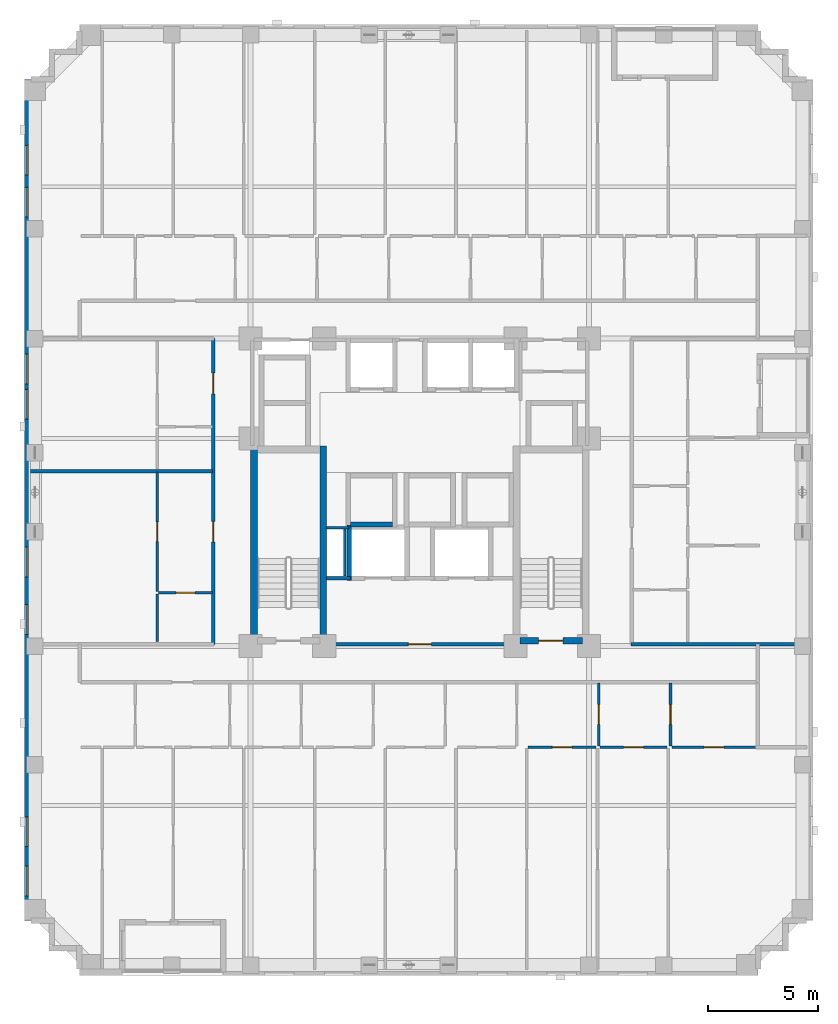
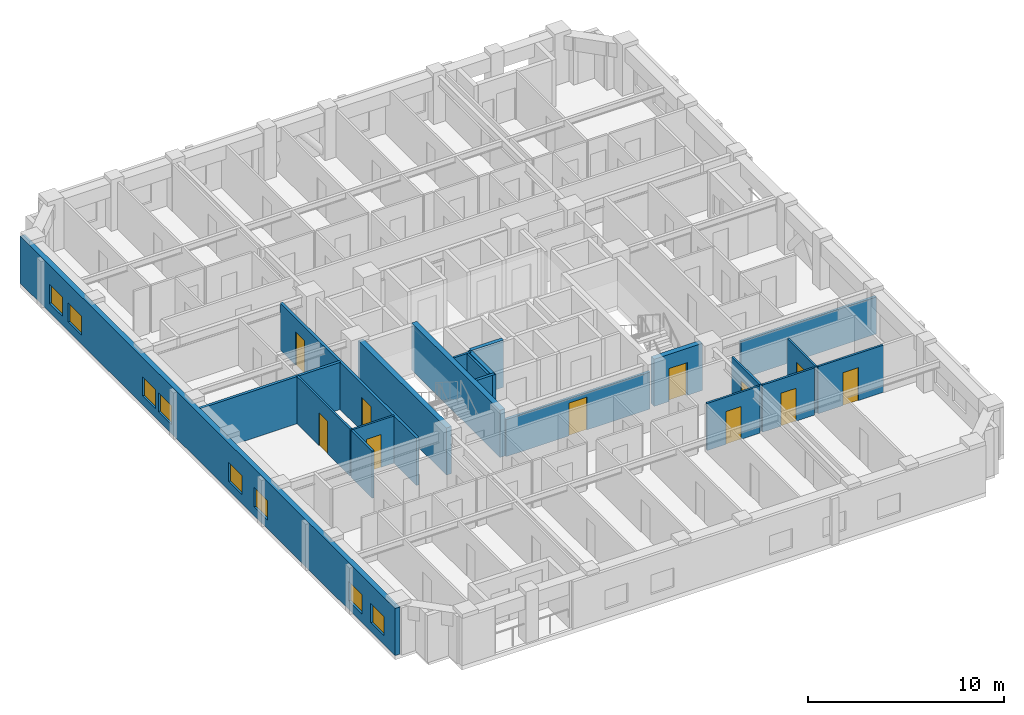
# One storey, part 4 of 13: 21 walls, 11 doors, 8 windows, 19 openings.
"""IFC4 building model written with IfcOpenShell, lengths in metres."""

from ifc_helpers import new_model, si_unit, derived_unit, direction, frame, frame_2d, origin, place, context, subcontext, project, spatial, rectangle, extrude, material, layer, layer_set, type_object, element, fill, save


model = new_model("IFC4")

# Units and contexts
model_context = context("Model", 3, precision=1e-05, world=origin(), true_north=direction((0.0, 1.0)))
body_context = subcontext(model_context, "Body", "Model", "MODEL_VIEW")
ifc_project = project(units=[si_unit("LENGTHUNIT", "METRE"), si_unit("AREAUNIT", "SQUARE_METRE"), si_unit("VOLUMEUNIT", "CUBIC_METRE"), si_unit("PLANEANGLEUNIT", "RADIAN"), si_unit("MASSUNIT", "GRAM", prefix="KILO"), derived_unit("THERMALTRANSMITTANCEUNIT", [(si_unit("MASSUNIT", "GRAM", prefix="KILO"), 1), (si_unit("TIMEUNIT", "SECOND"), -3), (si_unit("THERMODYNAMICTEMPERATUREUNIT", "KELVIN"), -1)])], contexts=[model_context])

# Site, building, storey
site_placement = place(None, origin())
site = spatial("IfcSite", under=ifc_project, at=site_placement, CompositionType="ELEMENT")
building_placement = place(site_placement, origin())
building = spatial("IfcBuilding", under=site, at=building_placement, Name="Korrvale Station Residences", CompositionType="ELEMENT")
storey_placement = place(building_placement, frame((0.0, 0.0, 100.699951171875)))
storey = spatial("IfcBuildingStorey", under=building, at=storey_placement, Name="L28", CompositionType="ELEMENT", Elevation=100.699951171875)

# Walls
ifc_material_1 = material(Name="Concrete C60/75", Category="concrete")
ifc_layer_1 = layer(ifc_material_1, 0.300048828125, Name="Concrete C60/75")
ifc_layer_set_1 = layer_set([ifc_layer_1], Name="Concrete C60/75")
wall_type_1 = type_object("IfcWallType", Name="WAL-CORE-300-C60", PredefinedType="SHEAR", material=ifc_layer_set_1)
for number, where, z_axis, x_axis, name in (
    (1, (17.949951171875, 15.10009765625, 0.0), (0.0, 0.0, 1.0), (0.0, 1.0, 0.0), "L28 ST-1 Core Shear Wall West"),
    (2, (21.10009765625, 15.10009765625, 0.0), (0.0, 0.0, 1.0), (0.0, 1.0, 0.0), "L28 ST-1 Core Shear Wall East"),
):
    element("IfcWall", number, at=place(storey_placement, frame(where, z_axis=z_axis, x_axis=x_axis)), inside=storey, type_object=wall_type_1, Name=name, PredefinedType="SHEAR", context=body_context, shape_type="SweptSolid", body=[
        extrude(rectangle(XDim=9.0, YDim=0.300048828125, at=frame_2d((4.5, 0.0))), origin(), (0.0, 0.0, 1.0), 2.93994140625),
    ])

# Wall, opening, door
wall_1_placement = place(storey_placement, frame((30.050048828125, 15.25, 0.0), z_axis=(0.0, 0.0, 1.0), x_axis=(1.0, 0.0, 0.0)))
wall_1 = element("IfcWall", 3, at=wall_1_placement, inside=storey, type_object=wall_type_1, Name="L28 ST-2 Core Shear Wall South", PredefinedType="SHEAR", context=body_context, shape_type="SweptSolid", body=[
    extrude(rectangle(XDim=2.849853515625, YDim=0.300048828125, at=frame_2d((1.4248046875, 0.0))), origin(), (0.0, 0.0, 1.0), 2.93994140625),
])
opening_1_placement = place(wall_1_placement, frame((0.860107421875, 0.0, 0.0)))
opening_1 = element("IfcOpeningElement", 4, at=opening_1_placement, cuts=wall_1, Name="Opening SD-1100", PredefinedType="OPENING", context=body_context, shape_type="SweptSolid", body=[
    extrude(rectangle(XDim=1.10009765625, YDim=2.050048828125, at=frame_2d((0.550048828125, 1.02490234375))), frame((0.0, 0.16015625, 0.0), z_axis=(0.0, -1.0, 0.0), x_axis=(1.0, 0.0, 0.0)), (0.0, 0.0, 1.0), 0.320068359375),
])
ifc_material_2 = material(Name="Hollow-metal fire-rated stair door with closer", Category="steel")
door_type_1 = type_object("IfcDoorType", Name="DR-STAIR-1100", OperationType="NOTDEFINED", PredefinedType="DOOR", material=ifc_material_2)
door_1_placement = place(opening_1_placement, origin())
door_1 = element("IfcDoor", 5, at=door_1_placement, inside=storey, type_object=door_type_1, Name="L28 ST-2 Exit Stair Door", OperationType="SINGLE_SWING_RIGHT", OverallHeight=2.050048828125, OverallWidth=1.10009765625, PredefinedType="DOOR", context=body_context, shape_type="SweptSolid", body=[
    extrude(rectangle(XDim=1.10009765625, YDim=2.050048828125, at=frame_2d((0.550048828125, 1.02490234375))), frame((0.0, 0.02490234375, 0.0), z_axis=(0.0, -1.0, 0.0), x_axis=(1.0, 0.0, 0.0)), (0.0, 0.0, 1.0), 0.050048828125),
])
fill(opening_1, door_1)

# Wall, openings, windows
ifc_material_3 = material(Name="Precast concrete C45/55", Category="concrete")
ifc_layer_2 = layer(ifc_material_3, 0.300048828125, Name="Precast concrete C45/55")
ifc_layer_set_2 = layer_set([ifc_layer_2], Name="Precast concrete C45/55")
wall_type_2 = type_object("IfcWallType", Name="WAL-EXT-PC300", PredefinedType="SOLIDWALL", material=ifc_layer_set_2)
wall_2_placement = place(storey_placement, frame((7.64990234375, 2.5, 0.0), z_axis=(0.0, 0.0, 1.0), x_axis=(0.0, 1.0, 0.0)))
wall_2 = element("IfcWall", 6, at=wall_2_placement, inside=storey, type_object=wall_type_2, Name="L28 West Exterior Precast Wall 1", PredefinedType="SOLIDWALL", context=body_context, shape_type="SweptSolid", body=[
    extrude(rectangle(XDim=38.300048828125, YDim=0.300048828125, at=frame_2d((19.14990234375, 0.0))), origin(), (0.0, 0.0, 1.0), 2.93994140625),
])
opening_2_placement = place(wall_2_placement, frame((3.3798828125, 0.0, 0.550048828125)))
opening_2 = element("IfcOpeningElement", 7, at=opening_2_placement, cuts=wall_2, Name="Opening W-10", PredefinedType="OPENING", context=body_context, shape_type="SweptSolid", body=[
    extrude(rectangle(XDim=1.35009765625, YDim=1.199951171875, at=frame_2d((0.675048828125, 0.60009765625))), frame((0.0, 0.16015625, 0.0), z_axis=(0.0, -1.0, 0.0), x_axis=(1.0, 0.0, 0.0)), (0.0, 0.0, 1.0), 0.320068359375),
])
opening_3_placement = place(wall_2_placement, frame((1.135009765625, 0.0, 0.550048828125)))
opening_3 = element("IfcOpeningElement", 8, at=opening_3_placement, cuts=wall_2, Name="Opening W-10", PredefinedType="OPENING", context=body_context, shape_type="SweptSolid", body=[
    extrude(rectangle(XDim=1.35009765625, YDim=1.199951171875, at=frame_2d((0.675048828125, 0.60009765625))), frame((0.0, 0.16015625, 0.0), z_axis=(0.0, -1.0, 0.0), x_axis=(1.0, 0.0, 0.0)), (0.0, 0.0, 1.0), 0.320068359375),
])
opening_4_placement = place(wall_2_placement, frame((33.946044921875, 0.0, 0.550048828125)))
opening_4 = element("IfcOpeningElement", 9, at=opening_4_placement, cuts=wall_2, Name="Opening W-10", PredefinedType="OPENING", context=body_context, shape_type="SweptSolid", body=[
    extrude(rectangle(XDim=1.35009765625, YDim=1.199951171875, at=frame_2d((0.675048828125, 0.60009765625))), frame((0.0, 0.16015625, 0.0), z_axis=(0.0, -1.0, 0.0), x_axis=(1.0, 0.0, 0.0)), (0.0, 0.0, 1.0), 0.320068359375),
])
opening_5_placement = place(wall_2_placement, frame((32.034912109375, 0.0, 0.550048828125)))
opening_5 = element("IfcOpeningElement", 10, at=opening_5_placement, cuts=wall_2, Name="Opening W-10", PredefinedType="OPENING", context=body_context, shape_type="SweptSolid", body=[
    extrude(rectangle(XDim=1.35009765625, YDim=1.199951171875, at=frame_2d((0.675048828125, 0.60009765625))), frame((0.0, 0.16015625, 0.0), z_axis=(0.0, -1.0, 0.0), x_axis=(1.0, 0.0, 0.0)), (0.0, 0.0, 1.0), 0.320068359375),
])
opening_6_placement = place(wall_2_placement, frame((15.64990234375, 0.0, 0.550048828125)))
opening_6 = element("IfcOpeningElement", 11, at=opening_6_placement, cuts=wall_2, Name="Opening W-10", PredefinedType="OPENING", context=body_context, shape_type="SweptSolid", body=[
    extrude(rectangle(XDim=1.35009765625, YDim=1.199951171875, at=frame_2d((0.675048828125, 0.60009765625))), frame((0.0, 0.16015625, 0.0), z_axis=(0.0, -1.0, 0.0), x_axis=(1.0, 0.0, 0.0)), (0.0, 0.0, 1.0), 0.320068359375),
])
opening_7_placement = place(wall_2_placement, frame((13.034912109375, 0.0, 0.550048828125)))
opening_7 = element("IfcOpeningElement", 12, at=opening_7_placement, cuts=wall_2, Name="Opening W-10", PredefinedType="OPENING", context=body_context, shape_type="SweptSolid", body=[
    extrude(rectangle(XDim=1.35009765625, YDim=1.199951171875, at=frame_2d((0.675048828125, 0.60009765625))), frame((0.0, 0.16015625, 0.0), z_axis=(0.0, -1.0, 0.0), x_axis=(1.0, 0.0, 0.0)), (0.0, 0.0, 1.0), 0.320068359375),
])
opening_8_placement = place(wall_2_placement, frame((22.8310546875, 0.0, 0.550048828125)))
opening_8 = element("IfcOpeningElement", 13, at=opening_8_placement, cuts=wall_2, Name="Opening W-10", PredefinedType="OPENING", context=body_context, shape_type="SweptSolid", body=[
    extrude(rectangle(XDim=1.35009765625, YDim=1.199951171875, at=frame_2d((0.675048828125, 0.60009765625))), frame((0.0, 0.16015625, 0.0), z_axis=(0.0, -1.0, 0.0), x_axis=(1.0, 0.0, 0.0)), (0.0, 0.0, 1.0), 0.320068359375),
])
opening_9_placement = place(wall_2_placement, frame((24.44091796875, 0.0, 0.550048828125)))
opening_9 = element("IfcOpeningElement", 14, at=opening_9_placement, cuts=wall_2, Name="Opening W-10", PredefinedType="OPENING", context=body_context, shape_type="SweptSolid", body=[
    extrude(rectangle(XDim=1.35009765625, YDim=1.199951171875, at=frame_2d((0.675048828125, 0.60009765625))), frame((0.0, 0.16015625, 0.0), z_axis=(0.0, -1.0, 0.0), x_axis=(1.0, 0.0, 0.0)), (0.0, 0.0, 1.0), 0.320068359375),
])
ifc_material_4 = material(Name="Thermally broken aluminium frame with triple low-e glazing", Category="aluminium")
window_type = type_object("IfcWindowType", Name="WIN-W10", PartitioningType="SINGLE_PANEL", PredefinedType="WINDOW", material=ifc_material_4)
window_1_placement = place(opening_2_placement, origin())
window_1 = element("IfcWindow", 15, at=window_1_placement, inside=storey, type_object=window_type, Name="L28 Punched Window 01", OverallHeight=1.199951171875, OverallWidth=1.35009765625, PartitioningType="SINGLE_PANEL", PredefinedType="WINDOW", context=body_context, shape_type="SweptSolid", body=[
    extrude(rectangle(XDim=1.35009765625, YDim=1.199951171875, at=frame_2d((0.675048828125, 0.60009765625))), frame((0.0, 0.030029296875, 0.0), z_axis=(0.0, -1.0, 0.0), x_axis=(1.0, 0.0, 0.0)), (0.0, 0.0, 1.0), 0.06005859375),
])
fill(opening_2, window_1)
window_2_placement = place(opening_3_placement, origin())
window_2 = element("IfcWindow", 16, at=window_2_placement, inside=storey, type_object=window_type, Name="L28 Punched Window 02", OverallHeight=1.199951171875, OverallWidth=1.35009765625, PartitioningType="SINGLE_PANEL", PredefinedType="WINDOW", context=body_context, shape_type="SweptSolid", body=[
    extrude(rectangle(XDim=1.35009765625, YDim=1.199951171875, at=frame_2d((0.675048828125, 0.60009765625))), frame((0.0, 0.030029296875, 0.0), z_axis=(0.0, -1.0, 0.0), x_axis=(1.0, 0.0, 0.0)), (0.0, 0.0, 1.0), 0.06005859375),
])
fill(opening_3, window_2)
window_3_placement = place(opening_4_placement, origin())
window_3 = element("IfcWindow", 17, at=window_3_placement, inside=storey, type_object=window_type, Name="L28 Punched Window 12", OverallHeight=1.199951171875, OverallWidth=1.35009765625, PartitioningType="SINGLE_PANEL", PredefinedType="WINDOW", context=body_context, shape_type="SweptSolid", body=[
    extrude(rectangle(XDim=1.35009765625, YDim=1.199951171875, at=frame_2d((0.675048828125, 0.60009765625))), frame((0.0, 0.030029296875, 0.0), z_axis=(0.0, -1.0, 0.0), x_axis=(1.0, 0.0, 0.0)), (0.0, 0.0, 1.0), 0.06005859375),
])
fill(opening_4, window_3)
window_4_placement = place(opening_5_placement, origin())
window_4 = element("IfcWindow", 18, at=window_4_placement, inside=storey, type_object=window_type, Name="L28 Punched Window 13", OverallHeight=1.199951171875, OverallWidth=1.35009765625, PartitioningType="SINGLE_PANEL", PredefinedType="WINDOW", context=body_context, shape_type="SweptSolid", body=[
    extrude(rectangle(XDim=1.35009765625, YDim=1.199951171875, at=frame_2d((0.675048828125, 0.60009765625))), frame((0.0, 0.030029296875, 0.0), z_axis=(0.0, -1.0, 0.0), x_axis=(1.0, 0.0, 0.0)), (0.0, 0.0, 1.0), 0.06005859375),
])
fill(opening_5, window_4)
window_5_placement = place(opening_6_placement, origin())
window_5 = element("IfcWindow", 19, at=window_5_placement, inside=storey, type_object=window_type, Name="L28 Punched Window 23", OverallHeight=1.199951171875, OverallWidth=1.35009765625, PartitioningType="SINGLE_PANEL", PredefinedType="WINDOW", context=body_context, shape_type="SweptSolid", body=[
    extrude(rectangle(XDim=1.35009765625, YDim=1.199951171875, at=frame_2d((0.675048828125, 0.60009765625))), frame((0.0, 0.030029296875, 0.0), z_axis=(0.0, -1.0, 0.0), x_axis=(1.0, 0.0, 0.0)), (0.0, 0.0, 1.0), 0.06005859375),
])
fill(opening_6, window_5)
window_6_placement = place(opening_7_placement, origin())
window_6 = element("IfcWindow", 20, at=window_6_placement, inside=storey, type_object=window_type, Name="L28 Punched Window 24", OverallHeight=1.199951171875, OverallWidth=1.35009765625, PartitioningType="SINGLE_PANEL", PredefinedType="WINDOW", context=body_context, shape_type="SweptSolid", body=[
    extrude(rectangle(XDim=1.35009765625, YDim=1.199951171875, at=frame_2d((0.675048828125, 0.60009765625))), frame((0.0, 0.030029296875, 0.0), z_axis=(0.0, -1.0, 0.0), x_axis=(1.0, 0.0, 0.0)), (0.0, 0.0, 1.0), 0.06005859375),
])
fill(opening_7, window_6)
window_7_placement = place(opening_8_placement, origin())
window_7 = element("IfcWindow", 21, at=window_7_placement, inside=storey, type_object=window_type, Name="L28 Punched Window 25", OverallHeight=1.199951171875, OverallWidth=1.35009765625, PartitioningType="SINGLE_PANEL", PredefinedType="WINDOW", context=body_context, shape_type="SweptSolid", body=[
    extrude(rectangle(XDim=1.35009765625, YDim=1.199951171875, at=frame_2d((0.675048828125, 0.60009765625))), frame((0.0, 0.030029296875, 0.0), z_axis=(0.0, -1.0, 0.0), x_axis=(1.0, 0.0, 0.0)), (0.0, 0.0, 1.0), 0.06005859375),
])
fill(opening_8, window_7)
window_8_placement = place(opening_9_placement, origin())
window_8 = element("IfcWindow", 22, at=window_8_placement, inside=storey, type_object=window_type, Name="L28 Punched Window 26", OverallHeight=1.199951171875, OverallWidth=1.35009765625, PartitioningType="SINGLE_PANEL", PredefinedType="WINDOW", context=body_context, shape_type="SweptSolid", body=[
    extrude(rectangle(XDim=1.35009765625, YDim=1.199951171875, at=frame_2d((0.675048828125, 0.60009765625))), frame((0.0, 0.030029296875, 0.0), z_axis=(0.0, -1.0, 0.0), x_axis=(1.0, 0.0, 0.0)), (0.0, 0.0, 1.0), 0.06005859375),
])
fill(opening_9, window_8)

# Walls
ifc_material_5 = material(Name="Acoustic steel-stud gypsum board partition", Category="steel")
ifc_layer_3 = layer(ifc_material_5, 0.1201171875, Name="Acoustic steel-stud gypsum board partition")
ifc_layer_set_3 = layer_set([ifc_layer_3], Name="Acoustic steel-stud gypsum board partition")
wall_type_3 = type_object("IfcWallType", Name="WAL-PART-125", PredefinedType="PARTITIONING", material=ifc_layer_set_3)
wall_3_placement = place(storey_placement, frame((22.080078125, 18.199951171875, 0.0), z_axis=(0.0, 0.0, 1.0), x_axis=(0.0, 1.0, 0.0)))
element("IfcWall", 23, at=wall_3_placement, inside=storey, type_object=wall_type_3, Name="L28 Core Partition CW-RSWT", PredefinedType="PARTITIONING", context=body_context, shape_type="SweptSolid", body=[
    extrude(rectangle(XDim=2.1201171875, YDim=0.1201171875, at=frame_2d((1.06005859375, 0.0))), origin(), (0.0, 0.0, 1.0), 2.93994140625),
])
wall_4_placement = place(storey_placement, frame((22.280029296875, 20.3798828125, 0.0), z_axis=(0.0, 0.0, 1.0), x_axis=(-1.0, 0.0, 0.0)))
element("IfcWall", 24, at=wall_4_placement, inside=storey, type_object=wall_type_3, Name="L28 Core Partition CW-RSWT-N", PredefinedType="PARTITIONING", context=body_context, shape_type="SweptSolid", body=[
    extrude(rectangle(XDim=1.02001953125, YDim=0.1201171875, at=frame_2d((0.510009765625, 0.0))), origin(), (0.0, 0.0, 1.0), 2.93994140625),
])

# Wall, opening, door
wall_5_placement = place(storey_placement, frame((33.639892578125, 10.4599609375, 0.0), z_axis=(0.0, 0.0, 1.0), x_axis=(0.0, 1.0, 0.0)))
wall_5 = element("IfcWall", 25, at=wall_5_placement, inside=storey, type_object=wall_type_3, Name="L28 Suite Partition U01-V67", PredefinedType="PARTITIONING", context=body_context, shape_type="SweptSolid", body=[
    extrude(rectangle(XDim=2.85009765625, YDim=0.1201171875, at=frame_2d((1.425048828125, 0.0))), origin(), (0.0, 0.0, 1.0), 2.93994140625),
])
opening_10_placement = place(wall_5_placement, frame((0.97509765625, 0.0, 0.0)))
opening_10 = element("IfcOpeningElement", 26, at=opening_10_placement, cuts=wall_5, Name="Opening DI-900", PredefinedType="OPENING", context=body_context, shape_type="SweptSolid", body=[
    extrude(rectangle(XDim=0.89990234375, YDim=2.050048828125, at=frame_2d((0.449951171875, 1.02490234375))), frame((0.0, 0.070068359375, 0.0), z_axis=(0.0, -1.0, 0.0), x_axis=(1.0, 0.0, 0.0)), (0.0, 0.0, 1.0), 0.14013671875),
])
ifc_material_6 = material(Name="Painted solid-core timber interior room door", Category="wood")
door_type_2 = type_object("IfcDoorType", Name="DR-INT-900", OperationType="NOTDEFINED", PredefinedType="DOOR", material=ifc_material_6)
door_2_placement = place(opening_10_placement, origin())
door_2 = element("IfcDoor", 27, at=door_2_placement, inside=storey, type_object=door_type_2, Name="L28 Studio Apartment L28-U01 Utility and Laundry Room Door", OperationType="SINGLE_SWING_RIGHT", OverallHeight=2.050048828125, OverallWidth=0.89990234375, PredefinedType="DOOR", context=body_context, shape_type="SweptSolid", body=[
    extrude(rectangle(XDim=0.89990234375, YDim=2.050048828125, at=frame_2d((0.449951171875, 1.02490234375))), frame((0.0, 0.02490234375, 0.0), z_axis=(0.0, -1.0, 0.0), x_axis=(1.0, 0.0, 0.0)), (0.0, 0.0, 1.0), 0.050048828125),
])
fill(opening_10, door_2)

wall_6_placement = place(storey_placement, frame((30.429931640625, 10.39990234375, 0.0), z_axis=(0.0, 0.0, 1.0), x_axis=(1.0, 0.0, 0.0)))
wall_6 = element("IfcWall", 28, at=wall_6_placement, inside=storey, type_object=wall_type_3, Name="L28 Suite Partition U01-H616", PredefinedType="PARTITIONING", context=body_context, shape_type="SweptSolid", body=[
    extrude(rectangle(XDim=3.10009765625, YDim=0.1201171875, at=frame_2d((1.550048828125, 0.0))), origin(), (0.0, 0.0, 1.0), 2.93994140625),
])
opening_11_placement = place(wall_6_placement, frame((1.10009765625, 0.0, 0.0)))
opening_11 = element("IfcOpeningElement", 29, at=opening_11_placement, cuts=wall_6, Name="Opening DI-900", PredefinedType="OPENING", context=body_context, shape_type="SweptSolid", body=[
    extrude(rectangle(XDim=0.89990234375, YDim=2.050048828125, at=frame_2d((0.449951171875, 1.02490234375))), frame((0.0, 0.070068359375, 0.0), z_axis=(0.0, -1.0, 0.0), x_axis=(1.0, 0.0, 0.0)), (0.0, 0.0, 1.0), 0.14013671875),
])
door_3_placement = place(opening_11_placement, origin())
door_3 = element("IfcDoor", 30, at=door_3_placement, inside=storey, type_object=door_type_2, Name="L28 Studio Apartment L28-U01 Utility and Laundry Room Door", OperationType="SINGLE_SWING_LEFT", OverallHeight=2.050048828125, OverallWidth=0.89990234375, PredefinedType="DOOR", context=body_context, shape_type="SweptSolid", body=[
    extrude(rectangle(XDim=0.89990234375, YDim=2.050048828125, at=frame_2d((0.449951171875, 1.02490234375))), frame((0.0, 0.02490234375, 0.0), z_axis=(0.0, -1.0, 0.0), x_axis=(1.0, 0.0, 0.0)), (0.0, 0.0, 1.0), 0.050048828125),
])
fill(opening_11, door_3)

wall_7_placement = place(storey_placement, frame((36.909912109375, 10.4599609375, 0.0), z_axis=(0.0, 0.0, 1.0), x_axis=(0.0, 1.0, 0.0)))
wall_7 = element("IfcWall", 31, at=wall_7_placement, inside=storey, type_object=wall_type_3, Name="L28 Suite Partition U01-V78", PredefinedType="PARTITIONING", context=body_context, shape_type="SweptSolid", body=[
    extrude(rectangle(XDim=2.85009765625, YDim=0.1201171875, at=frame_2d((1.425048828125, 0.0))), origin(), (0.0, 0.0, 1.0), 2.93994140625),
])
opening_12_placement = place(wall_7_placement, frame((0.97509765625, 0.0, 0.0)))
opening_12 = element("IfcOpeningElement", 32, at=opening_12_placement, cuts=wall_7, Name="Opening DI-900", PredefinedType="OPENING", context=body_context, shape_type="SweptSolid", body=[
    extrude(rectangle(XDim=0.89990234375, YDim=2.050048828125, at=frame_2d((0.449951171875, 1.02490234375))), frame((0.0, 0.070068359375, 0.0), z_axis=(0.0, -1.0, 0.0), x_axis=(1.0, 0.0, 0.0)), (0.0, 0.0, 1.0), 0.14013671875),
])
door_4_placement = place(opening_12_placement, origin())
door_4 = element("IfcDoor", 33, at=door_4_placement, inside=storey, type_object=door_type_2, Name="L28 Studio Apartment L28-U01 Storage Closet 2 Door", OperationType="SINGLE_SWING_RIGHT", OverallHeight=2.050048828125, OverallWidth=0.89990234375, PredefinedType="DOOR", context=body_context, shape_type="SweptSolid", body=[
    extrude(rectangle(XDim=0.89990234375, YDim=2.050048828125, at=frame_2d((0.449951171875, 1.02490234375))), frame((0.0, 0.02490234375, 0.0), z_axis=(0.0, -1.0, 0.0), x_axis=(1.0, 0.0, 0.0)), (0.0, 0.0, 1.0), 0.050048828125),
])
fill(opening_12, door_4)

wall_8_placement = place(storey_placement, frame((33.699951171875, 10.39990234375, 0.0), z_axis=(0.0, 0.0, 1.0), x_axis=(1.0, 0.0, 0.0)))
wall_8 = element("IfcWall", 34, at=wall_8_placement, inside=storey, type_object=wall_type_3, Name="L28 Suite Partition U01-H717", PredefinedType="PARTITIONING", context=body_context, shape_type="SweptSolid", body=[
    extrude(rectangle(XDim=3.050048828125, YDim=0.1201171875, at=frame_2d((1.52490234375, 0.0))), origin(), (0.0, 0.0, 1.0), 2.93994140625),
])
opening_13_placement = place(wall_8_placement, frame((1.074951171875, 0.0, 0.0)))
opening_13 = element("IfcOpeningElement", 35, at=opening_13_placement, cuts=wall_8, Name="Opening DI-900", PredefinedType="OPENING", context=body_context, shape_type="SweptSolid", body=[
    extrude(rectangle(XDim=0.89990234375, YDim=2.050048828125, at=frame_2d((0.449951171875, 1.02490234375))), frame((0.0, 0.070068359375, 0.0), z_axis=(0.0, -1.0, 0.0), x_axis=(1.0, 0.0, 0.0)), (0.0, 0.0, 1.0), 0.14013671875),
])
door_5_placement = place(opening_13_placement, origin())
door_5 = element("IfcDoor", 36, at=door_5_placement, inside=storey, type_object=door_type_2, Name="L28 Studio Apartment L28-U01 Storage Closet 2 Door", OperationType="SINGLE_SWING_LEFT", OverallHeight=2.050048828125, OverallWidth=0.89990234375, PredefinedType="DOOR", context=body_context, shape_type="SweptSolid", body=[
    extrude(rectangle(XDim=0.89990234375, YDim=2.050048828125, at=frame_2d((0.449951171875, 1.02490234375))), frame((0.0, 0.02490234375, 0.0), z_axis=(0.0, -1.0, 0.0), x_axis=(1.0, 0.0, 0.0)), (0.0, 0.0, 1.0), 0.050048828125),
])
fill(opening_13, door_5)

wall_9_placement = place(storey_placement, frame((36.969970703125, 10.39990234375, 0.0), z_axis=(0.0, 0.0, 1.0), x_axis=(1.0, 0.0, 0.0)))
wall_9 = element("IfcWall", 37, at=wall_9_placement, inside=storey, type_object=wall_type_3, Name="L28 Suite Partition U01-H818", PredefinedType="PARTITIONING", context=body_context, shape_type="SweptSolid", body=[
    extrude(rectangle(XDim=3.85009765625, YDim=0.1201171875, at=frame_2d((1.925048828125, 0.0))), origin(), (0.0, 0.0, 1.0), 2.93994140625),
])
opening_14_placement = place(wall_9_placement, frame((1.47509765625, 0.0, 0.0)))
opening_14 = element("IfcOpeningElement", 38, at=opening_14_placement, cuts=wall_9, Name="Opening DI-900", PredefinedType="OPENING", context=body_context, shape_type="SweptSolid", body=[
    extrude(rectangle(XDim=0.89990234375, YDim=2.050048828125, at=frame_2d((0.449951171875, 1.02490234375))), frame((0.0, 0.070068359375, 0.0), z_axis=(0.0, -1.0, 0.0), x_axis=(1.0, 0.0, 0.0)), (0.0, 0.0, 1.0), 0.14013671875),
])
door_6_placement = place(opening_14_placement, origin())
door_6 = element("IfcDoor", 39, at=door_6_placement, inside=storey, type_object=door_type_2, Name="L28 Studio Apartment L28-U01 Storage Closet 3 Door", OperationType="SINGLE_SWING_RIGHT", OverallHeight=2.050048828125, OverallWidth=0.89990234375, PredefinedType="DOOR", context=body_context, shape_type="SweptSolid", body=[
    extrude(rectangle(XDim=0.89990234375, YDim=2.050048828125, at=frame_2d((0.449951171875, 1.02490234375))), frame((0.0, 0.02490234375, 0.0), z_axis=(0.0, -1.0, 0.0), x_axis=(1.0, 0.0, 0.0)), (0.0, 0.0, 1.0), 0.050048828125),
])
fill(opening_14, door_6)

wall_10_placement = place(storey_placement, frame((13.610107421875, 17.428955078125, 0.0), z_axis=(0.0, 0.0, 1.0), x_axis=(1.0, 0.0, 0.0)))
wall_10 = element("IfcWall", 40, at=wall_10_placement, inside=storey, type_object=wall_type_3, Name="L28 Suite Partition U03-H01", PredefinedType="PARTITIONING", context=body_context, shape_type="SweptSolid", body=[
    extrude(rectangle(XDim=2.449951171875, YDim=0.1201171875, at=frame_2d((1.22509765625, 0.0))), origin(), (0.0, 0.0, 1.0), 2.93994140625),
])
opening_15_placement = place(wall_10_placement, frame((0.794921875, 0.0, 0.0)))
opening_15 = element("IfcOpeningElement", 41, at=opening_15_placement, cuts=wall_10, Name="Opening DB-860", PredefinedType="OPENING", context=body_context, shape_type="SweptSolid", body=[
    extrude(rectangle(XDim=0.860107421875, YDim=2.050048828125, at=frame_2d((0.43017578125, 1.02490234375))), frame((0.0, 0.070068359375, 0.0), z_axis=(0.0, -1.0, 0.0), x_axis=(1.0, 0.0, 0.0)), (0.0, 0.0, 1.0), 0.14013671875),
])
ifc_material_7 = material(Name="Moisture-resistant solid-core bathroom door", Category="timber")
door_type_3 = type_object("IfcDoorType", Name="DR-BATH-860", OperationType="NOTDEFINED", PredefinedType="DOOR", material=ifc_material_7)
door_7_placement = place(opening_15_placement, origin())
door_7 = element("IfcDoor", 42, at=door_7_placement, inside=storey, type_object=door_type_3, Name="L28 Apartment 1BR L28-U03 Bathroom Door", OperationType="SINGLE_SWING_LEFT", OverallHeight=2.050048828125, OverallWidth=0.860107421875, PredefinedType="DOOR", context=body_context, shape_type="SweptSolid", body=[
    extrude(rectangle(XDim=0.860107421875, YDim=2.050048828125, at=frame_2d((0.43017578125, 1.02490234375))), frame((0.0, 0.02490234375, 0.0), z_axis=(0.0, -1.0, 0.0), x_axis=(1.0, 0.0, 0.0)), (0.0, 0.0, 1.0), 0.050048828125),
])
fill(opening_15, door_7)

# Wall
wall_11_placement = place(storey_placement, frame((13.550048828125, 15.2099609375, 0.0), z_axis=(0.0, 0.0, 1.0), x_axis=(0.0, 1.0, 0.0)))
element("IfcWall", 43, at=wall_11_placement, inside=storey, type_object=wall_type_3, Name="L28 Suite Partition U03-V02", PredefinedType="PARTITIONING", context=body_context, shape_type="SweptSolid", body=[
    extrude(rectangle(XDim=2.158935546875, YDim=0.1201171875, at=frame_2d((1.07958984375, 0.0))), origin(), (0.0, 0.0, 1.0), 2.93994140625),
])

# Wall, opening, door
wall_12_placement = place(storey_placement, frame((13.550048828125, 17.489013671875, 0.0), z_axis=(0.0, 0.0, 1.0), x_axis=(0.0, 1.0, 0.0)))
wall_12 = element("IfcWall", 44, at=wall_12_placement, inside=storey, type_object=wall_type_3, Name="L28 Suite Partition U03-V12", PredefinedType="PARTITIONING", context=body_context, shape_type="SweptSolid", body=[
    extrude(rectangle(XDim=5.43310546875, YDim=0.1201171875, at=frame_2d((2.716552734375, 0.0))), origin(), (0.0, 0.0, 1.0), 2.93994140625),
])
opening_16_placement = place(wall_12_placement, frame((2.26611328125, 0.0, 0.0)))
opening_16 = element("IfcOpeningElement", 45, at=opening_16_placement, cuts=wall_12, Name="Opening DI-900", PredefinedType="OPENING", context=body_context, shape_type="SweptSolid", body=[
    extrude(rectangle(XDim=0.89990234375, YDim=2.050048828125, at=frame_2d((0.449951171875, 1.02490234375))), frame((0.0, 0.070068359375, 0.0), z_axis=(0.0, -1.0, 0.0), x_axis=(1.0, 0.0, 0.0)), (0.0, 0.0, 1.0), 0.14013671875),
])
door_8_placement = place(opening_16_placement, origin())
door_8 = element("IfcDoor", 46, at=door_8_placement, inside=storey, type_object=door_type_2, Name="L28 Apartment 1BR L28-U03 Kitchen Door", OperationType="SINGLE_SWING_RIGHT", OverallHeight=2.050048828125, OverallWidth=0.89990234375, PredefinedType="DOOR", context=body_context, shape_type="SweptSolid", body=[
    extrude(rectangle(XDim=0.89990234375, YDim=2.050048828125, at=frame_2d((0.449951171875, 1.02490234375))), frame((0.0, 0.02490234375, 0.0), z_axis=(0.0, -1.0, 0.0), x_axis=(1.0, 0.0, 0.0)), (0.0, 0.0, 1.0), 0.050048828125),
])
fill(opening_16, door_8)

ifc_material_8 = material(Name="Fire-rated twin-stud gypsum and mineral wool shaftwall assembly", Category="gypsum")
ifc_layer_4 = layer(ifc_material_8, 0.159912109375, Name="Fire-rated twin-stud gypsum and mineral wool shaftwall assembly")
ifc_layer_set_4 = layer_set([ifc_layer_4], Name="Fire-rated twin-stud gypsum and mineral wool shaftwall assembly")
wall_type_4 = type_object("IfcWallType", Name="WAL-PART-200", PredefinedType="PARTITIONING", material=ifc_layer_set_4)
wall_13_placement = place(storey_placement, frame((21.25, 15.080078125, 0.0), z_axis=(0.0, 0.0, 1.0), x_axis=(1.0, 0.0, 0.0)))
wall_13 = element("IfcWall", 47, at=wall_13_placement, inside=storey, type_object=wall_type_4, Name="L28 Core Partition CW-FFL-S", PredefinedType="PARTITIONING", context=body_context, shape_type="SweptSolid", body=[
    extrude(rectangle(XDim=8.5, YDim=0.159912109375, at=frame_2d((4.25, 0.0))), origin(), (0.0, 0.0, 1.0), 2.31298828125),
])
opening_17_placement = place(wall_13_placement, frame((3.72509765625, 0.0, 0.0)))
opening_17 = element("IfcOpeningElement", 48, at=opening_17_placement, cuts=wall_13, Name="Opening FD-1050", PredefinedType="OPENING", context=body_context, shape_type="SweptSolid", body=[
    extrude(rectangle(XDim=1.050048828125, YDim=2.050048828125, at=frame_2d((0.52490234375, 1.02490234375))), frame((0.0, 0.08984375, 0.0), z_axis=(0.0, -1.0, 0.0), x_axis=(1.0, 0.0, 0.0)), (0.0, 0.0, 1.0), 0.179931640625),
])
ifc_material_9 = material(Name="Fire-rated mineral-core timber lobby door", Category="wood")
door_type_4 = type_object("IfcDoorType", Name="DR-CORE-1050", OperationType="NOTDEFINED", PredefinedType="DOOR", material=ifc_material_9)
door_9_placement = place(opening_17_placement, origin())
door_9 = element("IfcDoor", 49, at=door_9_placement, inside=storey, type_object=door_type_4, Name="L28 Firefighting Lobby Entry Door", OperationType="SINGLE_SWING_LEFT", OverallHeight=2.050048828125, OverallWidth=1.050048828125, PredefinedType="DOOR", context=body_context, shape_type="SweptSolid", body=[
    extrude(rectangle(XDim=1.050048828125, YDim=2.050048828125, at=frame_2d((0.52490234375, 1.02490234375))), frame((0.0, 0.02490234375, 0.0), z_axis=(0.0, -1.0, 0.0), x_axis=(1.0, 0.0, 0.0)), (0.0, 0.0, 1.0), 0.050048828125),
])
fill(opening_17, door_9)

# Walls
wall_14_placement = place(storey_placement, frame((21.25, 18.080078125, 0.0), z_axis=(0.0, 0.0, 1.0), x_axis=(1.0, 0.0, 0.0)))
element("IfcWall", 50, at=wall_14_placement, inside=storey, type_object=wall_type_4, Name="L28 Core Partition CW-FFL-N1", PredefinedType="PARTITIONING", context=body_context, shape_type="SweptSolid", body=[
    extrude(rectangle(XDim=1.10009765625, YDim=0.159912109375, at=frame_2d((0.550048828125, 0.0))), origin(), (0.0, 0.0, 1.0), 2.93994140625),
])
wall_15_placement = place(storey_placement, frame((35.110107421875, 15.090087890625, 0.0), z_axis=(0.0, 0.0, 1.0), x_axis=(1.0, 0.0, 0.0)))
element("IfcWall", 51, at=wall_15_placement, inside=storey, type_object=wall_type_4, Name="L28 East Wing South Corridor Wall", PredefinedType="PARTITIONING", context=body_context, shape_type="SweptSolid", body=[
    extrude(rectangle(XDim=8.010009765625, YDim=0.159912109375, at=frame_2d((4.0048828125, 0.0))), origin(), (0.0, 0.0, 1.0), 2.31298828125),
])
wall_16_placement = place(storey_placement, frame((7.780029296875, 22.9619140625, 0.0), z_axis=(0.0, 0.0, 1.0), x_axis=(1.0, 0.0, 0.0)))
element("IfcWall", 52, at=wall_16_placement, inside=storey, type_object=wall_type_4, Name="L28 Demising Wall U03-N", PredefinedType="PARTITIONING", context=body_context, shape_type="SweptSolid", body=[
    extrude(rectangle(XDim=8.280029296875, YDim=0.159912109375, at=frame_2d((4.14013671875, 0.0))), origin(), (0.0, 0.0, 1.0), 2.93994140625),
])

# Wall, openings, doors
wall_17_placement = place(storey_placement, frame((16.10009765625, 15.070068359375, 0.0), z_axis=(0.0, 0.0, 1.0), x_axis=(0.0, 1.0, 0.0)))
wall_17 = element("IfcWall", 53, at=wall_17_placement, inside=storey, type_object=wall_type_4, Name="L28 Rated Corridor Wall W", PredefinedType="PARTITIONING", context=body_context, shape_type="SweptSolid", body=[
    extrude(rectangle(XDim=13.929931640625, YDim=0.159912109375, at=frame_2d((6.96484375, 0.0))), origin(), (0.0, 0.0, 1.0), 2.93994140625),
])
opening_18_placement = place(wall_17_placement, frame((4.660888671875, 0.0, 0.0)))
opening_18 = element("IfcOpeningElement", 54, at=opening_18_placement, cuts=wall_17, Name="Opening UD-950", PredefinedType="OPENING", context=body_context, shape_type="SweptSolid", body=[
    extrude(rectangle(XDim=0.949951171875, YDim=2.10009765625, at=frame_2d((0.47509765625, 1.050048828125))), frame((0.0, 0.08984375, 0.0), z_axis=(0.0, -1.0, 0.0), x_axis=(1.0, 0.0, 0.0)), (0.0, 0.0, 1.0), 0.179931640625),
])
opening_19_placement = place(wall_17_placement, frame((11.410888671875, 0.0, 0.0)))
opening_19 = element("IfcOpeningElement", 55, at=opening_19_placement, cuts=wall_17, Name="Opening UD-950", PredefinedType="OPENING", context=body_context, shape_type="SweptSolid", body=[
    extrude(rectangle(XDim=0.949951171875, YDim=2.10009765625, at=frame_2d((0.47509765625, 1.050048828125))), frame((0.0, 0.08984375, 0.0), z_axis=(0.0, -1.0, 0.0), x_axis=(1.0, 0.0, 0.0)), (0.0, 0.0, 1.0), 0.179931640625),
])
ifc_material_10 = material(Name="Solid-core acoustic oak apartment entrance door", Category="timber")
door_type_5 = type_object("IfcDoorType", Name="DR-UNIT-950", OperationType="NOTDEFINED", PredefinedType="DOOR", material=ifc_material_10)
door_10_placement = place(opening_18_placement, origin())
door_10 = element("IfcDoor", 56, at=door_10_placement, inside=storey, type_object=door_type_5, Name="L28 Apartment L28-U03 Entrance Door", OperationType="SINGLE_SWING_LEFT", OverallHeight=2.10009765625, OverallWidth=0.949951171875, PredefinedType="DOOR", context=body_context, shape_type="SweptSolid", body=[
    extrude(rectangle(XDim=0.949951171875, YDim=2.10009765625, at=frame_2d((0.47509765625, 1.050048828125))), frame((0.0, 0.02490234375, 0.0), z_axis=(0.0, -1.0, 0.0), x_axis=(1.0, 0.0, 0.0)), (0.0, 0.0, 1.0), 0.050048828125),
])
fill(opening_18, door_10)
door_11_placement = place(opening_19_placement, origin())
door_11 = element("IfcDoor", 57, at=door_11_placement, inside=storey, type_object=door_type_5, Name="L28 Apartment L28-U04 Entrance Door", OperationType="SINGLE_SWING_RIGHT", OverallHeight=2.10009765625, OverallWidth=0.949951171875, PredefinedType="DOOR", context=body_context, shape_type="SweptSolid", body=[
    extrude(rectangle(XDim=0.949951171875, YDim=2.10009765625, at=frame_2d((0.47509765625, 1.050048828125))), frame((0.0, 0.02490234375, 0.0), z_axis=(0.0, -1.0, 0.0), x_axis=(1.0, 0.0, 0.0)), (0.0, 0.0, 1.0), 0.050048828125),
])
fill(opening_19, door_11)

# Walls
ifc_layer_5 = layer(ifc_material_1, 0.219970703125, Name="Concrete C60/75")
ifc_layer_set_5 = layer_set([ifc_layer_5], Name="Concrete C60/75")
wall_type_5 = type_object("IfcWallType", Name="WAL-SHAFT-220-C60", PredefinedType="SHEAR", material=ifc_layer_set_5)
wall_18_placement = place(storey_placement, frame((22.35009765625, 20.5400390625, 0.0), z_axis=(0.0, 0.0, 1.0), x_axis=(1.0, 0.0, 0.0)))
element("IfcWall", 58, at=wall_18_placement, inside=storey, type_object=wall_type_5, Name="L28 Elevator PM-1 Hoistway Wall South", PredefinedType="SHEAR", context=body_context, shape_type="SweptSolid", body=[
    extrude(rectangle(XDim=1.89990234375, YDim=0.219970703125, at=frame_2d((0.949951171875, 0.0))), origin(), (0.0, 0.0, 1.0), 2.93994140625),
])
wall_19_placement = place(storey_placement, frame((22.2900390625, 17.97998046875, 0.0), z_axis=(0.0, 0.0, 1.0), x_axis=(0.0, 1.0, 0.0)))
element("IfcWall", 59, at=wall_19_placement, inside=storey, type_object=wall_type_5, Name="L28 Elevator FFL-1 Hoistway Wall West", PredefinedType="SHEAR", context=body_context, shape_type="SweptSolid", body=[
    extrude(rectangle(XDim=2.5400390625, YDim=0.219970703125, at=frame_2d((1.27001953125, 0.0))), origin(), (0.0, 0.0, 1.0), 2.93994140625),
])

save(model, "model.ifc")
